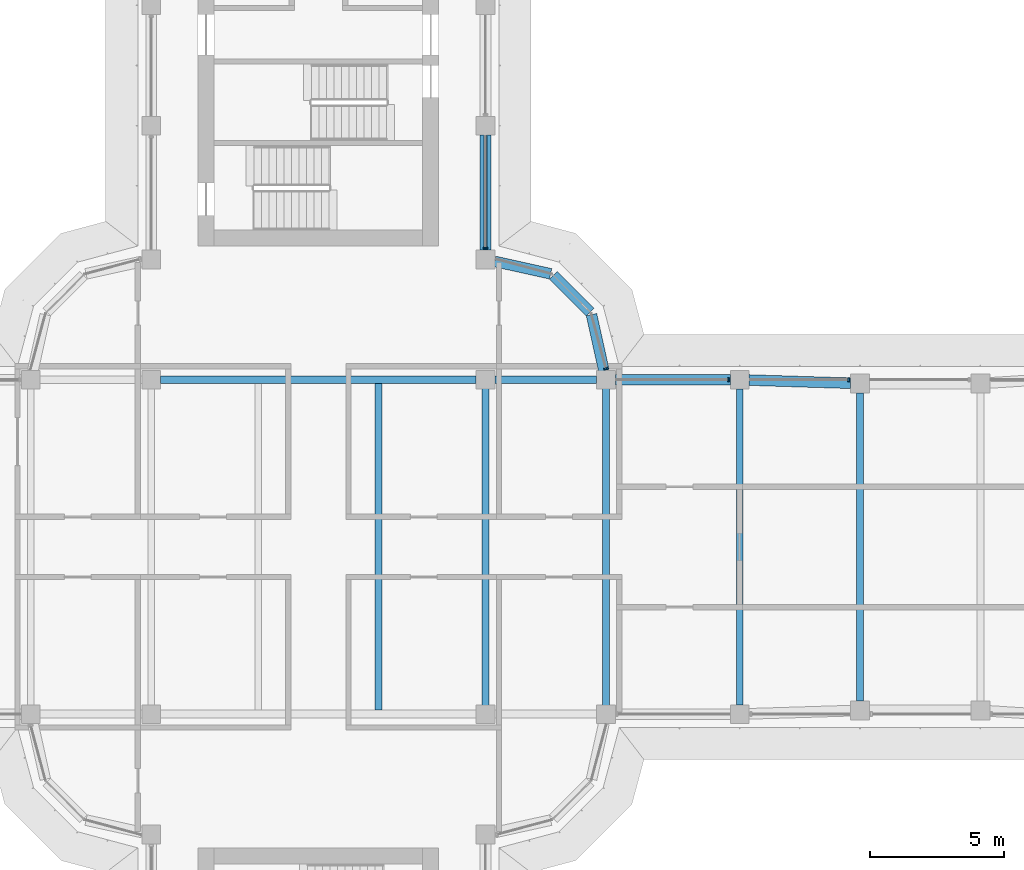
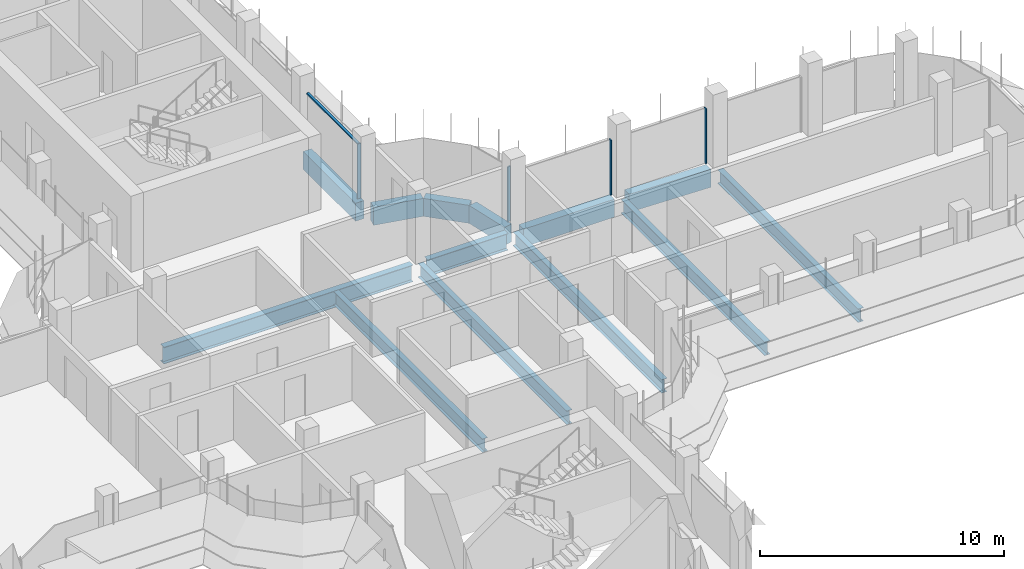
# One storey, part 8 of 19: 13 beams, 5 members, 3 elements without a shape of their own.
"""IFC4 building model written with IfcOpenShell, lengths in metres."""

from ifc_helpers import new_model, si_unit, direction, frame, origin, origin_2d, place, context, subcontext, project, spatial, polyline, rectangle, i_section, outline, extrude, source, transform, mapped, material, material_profile, profile_set, type_object, element, aggregate, save


model = new_model("IFC4")

# Units and contexts
model_context = context("Model", 3, precision=1e-05, world=origin(), true_north=direction((0.0, 1.0)))
body_context = subcontext(model_context, "Body", "Model", "MODEL_VIEW")
ifc_project = project(units=[si_unit("LENGTHUNIT", "METRE"), si_unit("AREAUNIT", "SQUARE_METRE"), si_unit("VOLUMEUNIT", "CUBIC_METRE"), si_unit("PLANEANGLEUNIT", "RADIAN"), si_unit("MASSUNIT", "GRAM", prefix="KILO")], contexts=[model_context])

# Site, building, storey
site_placement = place(None, origin())
site = spatial("IfcSite", under=ifc_project, at=site_placement, CompositionType="ELEMENT")
building_placement = place(site_placement, origin())
building = spatial("IfcBuilding", under=site, at=building_placement, Name="Zarbagh Exchange Tower", CompositionType="ELEMENT")
storey_placement = place(building_placement, frame((0.0, 0.0, 233.39990234375)))
storey = spatial("IfcBuildingStorey", under=building, at=storey_placement, Name="L57", CompositionType="ELEMENT", Elevation=233.39990234375)

# Beams
ifc_material_1 = material(Name="Steel ASTM A992 Gr 50", Category="steel")
ifc_material_profile_1 = material_profile(ifc_material_1, i_section(OverallWidth=0.25390625, OverallDepth=0.67822265625, WebThickness=0.01171875, FlangeThickness=0.016357421875, at=origin_2d()), Name="W27X84")
ifc_profile_set_1 = profile_set([ifc_material_profile_1], Name="Steel ASTM A992 Gr 50")
beam_type_1 = type_object("IfcBeamType", Name="Floor beam W27X84", PredefinedType="BEAM", material=ifc_profile_set_1)
for number, where, z_axis, x_axis, name in (
    (1, (2.25, -6.10400390625, -0.489013671875), (0.0, 1.0, 0.0), (-1.0, 0.0, 0.0), "Steel floor beam"),
    (2, (6.25, -6.10400390625, -0.489013671875), (0.0, 1.0, 0.0), (-1.0, 0.0, 0.0), "Steel floor beam"),
    (3, (10.75, -6.10400390625, -0.489013671875), (0.0, 1.0, 0.0), (-1.0, 0.0, 0.0), "Steel floor beam"),
):
    element("IfcBeam", number, at=place(storey_placement, frame(where, z_axis=z_axis, x_axis=x_axis)), inside=storey, type_object=beam_type_1, Name=name, PredefinedType="BEAM", context=body_context, shape_type="SweptSolid", body=[
        extrude(i_section(OverallWidth=0.25390625, OverallDepth=0.67822265625, WebThickness=0.01171875, FlangeThickness=0.016357421875, at=origin_2d()), origin(), (0.0, 0.0, 1.0), 12.2080078125),
    ])
beam_1_placement = place(storey_placement, frame((15.75, -5.89990234375, -0.489013671875), z_axis=(0.0, 1.0, 0.0), x_axis=(-1.0, 0.0, 0.0)))
element("IfcBeam", 4, at=beam_1_placement, inside=storey, type_object=beam_type_1, Name="Steel floor beam", PredefinedType="BEAM", context=body_context, shape_type="SweptSolid", body=[
    extrude(i_section(OverallWidth=0.25390625, OverallDepth=0.67822265625, WebThickness=0.01171875, FlangeThickness=0.016357421875, at=origin_2d()), origin(), (0.0, 0.0, 1.0), 11.7998046875),
])
beam_2_placement = place(storey_placement, frame((20.25, -5.760009765625, -0.489013671875), z_axis=(0.0, 1.0, 0.0), x_axis=(-1.0, 0.0, 0.0)))
element("IfcBeam", 5, at=beam_2_placement, inside=storey, type_object=beam_type_1, Name="Steel floor beam", PredefinedType="BEAM", context=body_context, shape_type="SweptSolid", body=[
    extrude(i_section(OverallWidth=0.25390625, OverallDepth=0.67822265625, WebThickness=0.01171875, FlangeThickness=0.016357421875, at=origin_2d()), origin(), (0.0, 0.0, 1.0), 11.52001953125),
])
ifc_material_profile_2 = material_profile(ifc_material_1, i_section(OverallWidth=0.2919921875, OverallDepth=0.835693359375, WebThickness=0.013916015625, FlangeThickness=0.018798828125, at=origin_2d()), Name="W33X118")
ifc_profile_set_2 = profile_set([ifc_material_profile_2], Name="Steel ASTM A992 Gr 50")
beam_type_2 = type_object("IfcBeamType", Name="Floor girder W33X118", PredefinedType="BEAM", material=ifc_profile_set_2)
beam_3_placement = place(storey_placement, frame((-5.89990234375, 6.25, -0.567626953125), z_axis=(1.0, 0.0, 0.0), x_axis=(0.0, 1.0, 0.0)))
element("IfcBeam", 6, at=beam_3_placement, inside=storey, type_object=beam_type_2, Name="Steel girder", PredefinedType="BEAM", context=body_context, shape_type="SweptSolid", body=[
    extrude(i_section(OverallWidth=0.2919921875, OverallDepth=0.835693359375, WebThickness=0.013916015625, FlangeThickness=0.018798828125, at=origin_2d()), origin(), (0.0, 0.0, 1.0), 11.7998046875),
])
beam_4_placement = place(storey_placement, frame((6.60009765625, 6.25, -0.567626953125), z_axis=(1.0, 0.0, 0.0), x_axis=(0.0, 1.0, 0.0)))
element("IfcBeam", 7, at=beam_4_placement, inside=storey, type_object=beam_type_2, Name="Steel girder", PredefinedType="BEAM", context=body_context, shape_type="SweptSolid", body=[
    extrude(i_section(OverallWidth=0.2919921875, OverallDepth=0.835693359375, WebThickness=0.013916015625, FlangeThickness=0.018798828125, at=origin_2d()), origin(), (0.0, 0.0, 1.0), 3.7998046875),
])
ifc_material_2 = material(Name="Concrete C50/60", Category="concrete")
ifc_material_profile_3 = material_profile(ifc_material_2, rectangle(XDim=0.39990234375, YDim=0.89990234375, at=origin_2d()), Name="RC spandrel beam 400 x 900 C50/60")
ifc_profile_set_3 = profile_set([ifc_material_profile_3], Name="Concrete C50/60")
beam_type_3 = type_object("IfcBeamType", Name="RC spandrel beam 400 x 900 C50/60", PredefinedType="SPANDREL", material=ifc_profile_set_3)
beam_5_placement = place(storey_placement, frame((6.25, 15.39990234375, -0.599853515625), z_axis=(0.0, -1.0, 0.0), x_axis=(1.0, 0.0, 0.0)))
element("IfcBeam", 8, at=beam_5_placement, inside=storey, type_object=beam_type_3, Name="RC spandrel beam", PredefinedType="SPANDREL", context=body_context, shape_type="SweptSolid", body=[
    extrude(rectangle(XDim=0.39990234375, YDim=0.89990234375, at=origin_2d()), origin(), (0.0, 0.0, 1.0), 4.2998046875),
])
beam_6_placement = place(storey_placement, frame((6.591796875, 10.67431640625, -0.599853515625), z_axis=(0.97639036545, -0.216013551096, 0.0), x_axis=(0.216013551096, 0.97639036545, 0.0)))
element("IfcBeam", 9, at=beam_6_placement, inside=storey, type_object=beam_type_3, Name="RC spandrel beam", PredefinedType="SPANDREL", context=body_context, shape_type="SweptSolid", body=[
    extrude(rectangle(XDim=0.39990234375, YDim=0.89990234375, at=origin_2d()), origin(), (0.0, 0.0, 1.0), 2.142822265625),
])
beam_7_placement = place(storey_placement, frame((8.782470703125, 10.15771484375, -0.599853515625), z_axis=(0.707106781187, -0.707106781187, 0.0), x_axis=(0.707106781187, 0.707106781187, 0.0)))
element("IfcBeam", 10, at=beam_7_placement, inside=storey, type_object=beam_type_3, Name="RC spandrel beam", PredefinedType="SPANDREL", context=body_context, shape_type="SweptSolid", body=[
    extrude(rectangle(XDim=0.39990234375, YDim=0.89990234375, at=origin_2d()), origin(), (0.0, 0.0, 1.0), 1.94482421875),
])
beam_8_placement = place(storey_placement, frame((10.21142578125, 8.68408203125, -0.599853515625), z_axis=(0.216013551096, -0.97639036545, 0.0), x_axis=(0.97639036545, 0.216013551096, 0.0)))
element("IfcBeam", 11, at=beam_8_placement, inside=storey, type_object=beam_type_3, Name="RC spandrel beam", PredefinedType="SPANDREL", context=body_context, shape_type="SweptSolid", body=[
    extrude(rectangle(XDim=0.39990234375, YDim=0.89990234375, at=origin_2d()), origin(), (0.0, 0.0, 1.0), 2.142822265625),
])
beam_9_placement = place(storey_placement, frame((11.10009765625, 6.25, -0.599853515625), z_axis=(1.0, 0.0, 0.0), x_axis=(0.0, 1.0, 0.0)))
element("IfcBeam", 12, at=beam_9_placement, inside=storey, type_object=beam_type_3, Name="RC spandrel beam", PredefinedType="SPANDREL", context=body_context, shape_type="SweptSolid", body=[
    extrude(rectangle(XDim=0.39990234375, YDim=0.89990234375, at=origin_2d()), origin(), (0.0, 0.0, 1.0), 4.2998046875),
])
beam_10_placement = place(storey_placement, frame((16.099853515625, 6.239013671875, -0.599853515625), z_axis=(0.999516950199, -0.031078389046, 0.0), x_axis=(0.031078389046, 0.999516950199, 0.0)))
element("IfcBeam", 13, at=beam_10_placement, inside=storey, type_object=beam_type_3, Name="RC spandrel beam", PredefinedType="SPANDREL", context=body_context, shape_type="SweptSolid", body=[
    extrude(rectangle(XDim=0.39990234375, YDim=0.89990234375, at=origin_2d()), origin(), (0.0, 0.0, 1.0), 3.80224609375),
])

# Curtain wall, members
ifc_material_3 = material(Name="Anodised aluminium frame and glazing", Category="aluminium")
curtain_wall_type = type_object("IfcCurtainWallType", Name="CWB Ribbon glazing, upper zones", PredefinedType="NOTDEFINED", material=ifc_material_3)
curtain_wall_1_placement = place(storey_placement, origin())
curtain_wall_1 = element("IfcCurtainWall", 14, at=curtain_wall_1_placement, inside=storey, type_object=curtain_wall_type, Name="CWB16 curtain wall", PredefinedType="NOTDEFINED")
ifc_material_4 = material(Name="Anodised aluminium frame", Category="aluminium")
member_type_1 = type_object("IfcMemberType", Name="MUB Mullion, anodised aluminium frame", PredefinedType="MULLION", material=ifc_material_4)
shared_shape_1 = source(origin(), body_context, "Body", "SweptSolid", [
    extrude(outline(polyline([(0.0, -0.080078125), (0.06005859375, -0.080078125), (0.06005859375, 0.080078125), (0.0, 0.080078125), (0.0, -0.080078125)])), origin(), (0.0, 0.0, 1.0), 2.75),
])
placement = place(storey_placement, origin())
member_1 = element("IfcMember", 15, at=placement, type_object=member_type_1, Name="CWB16 mullion 3.1", PredefinedType="MULLION", context=body_context, shape_type="MappedRepresentation", body=[
    mapped(shared_shape_1, transform((19.85986328125, 6.25, 0.0), x_axis=(-1.0, 0.0, 0.0), y_axis=(0.0, -1.0, 0.0), z_axis=(0.0, 0.0, 1.0))),
])
member_2 = element("IfcMember", 16, at=placement, type_object=member_type_1, Name="CWB16 mullion 4.1", PredefinedType="MULLION", context=body_context, shape_type="MappedRepresentation", body=[
    mapped(shared_shape_1, transform((15.35986328125, 6.25, 0.0), x_axis=(-1.0, 0.0, 0.0), y_axis=(0.0, -1.0, 0.0), z_axis=(0.0, 0.0, 1.0))),
])
aggregate(curtain_wall_1, [member_1, member_2])

# Curtain wall, member
curtain_wall_2_placement = place(storey_placement, origin())
curtain_wall_2 = element("IfcCurtainWall", 17, at=curtain_wall_2_placement, inside=storey, type_object=curtain_wall_type, Name="CWB17 curtain wall", PredefinedType="NOTDEFINED")
member_3 = element("IfcMember", 18, at=placement, type_object=member_type_1, Name="CWB17 mullion 1.1", PredefinedType="MULLION", context=body_context, shape_type="MappedRepresentation", body=[
    mapped(shared_shape_1, transform((10.76171875, 6.64013671875, 0.0), x_axis=(-0.258824779902, 0.965924289636, 0.0), y_axis=(-0.965924289636, -0.258824779902, 0.0), z_axis=(0.0, 0.0, 1.0))),
])
aggregate(curtain_wall_2, [member_3])

# Curtain wall, members
curtain_wall_3_placement = place(storey_placement, origin())
curtain_wall_3 = element("IfcCurtainWall", 19, at=curtain_wall_3_placement, inside=storey, type_object=curtain_wall_type, Name="CWB67 curtain wall", PredefinedType="NOTDEFINED")
member_4 = element("IfcMember", 20, at=placement, type_object=member_type_1, Name="CWB67 mullion 1.1", PredefinedType="MULLION", context=body_context, shape_type="MappedRepresentation", body=[
    mapped(shared_shape_1, transform((6.25, 11.14013671875, 0.0), x_axis=(0.0, 1.0, 0.0), y_axis=(-1.0, 0.0, 0.0), z_axis=(0.0, 0.0, 1.0))),
])
member_type_2 = type_object("IfcMemberType", Name="TRB Transom, anodised aluminium frame", PredefinedType="USERDEFINED", material=ifc_material_4)
shared_shape_2 = source(origin(), body_context, "Body", "SweptSolid", [
    extrude(outline(polyline([(-0.06005859375, -0.06005859375), (0.0, -0.06005859375), (0.0, 0.06005859375), (-0.06005859375, 0.06005859375), (-0.06005859375, -0.06005859375)])), origin(), (0.0, 0.0, 1.0), 4.159912109375),
])
member_5 = element("IfcMember", 21, at=placement, type_object=member_type_2, Name="CWB67 transom 1.1", ObjectType="TRANSOM", PredefinedType="USERDEFINED", context=body_context, shape_type="MappedRepresentation", body=[
    mapped(shared_shape_2, transform((6.25, 11.199951171875, 2.75), x_axis=(0.0, 0.0, 1.0), y_axis=(1.0, 0.0, 0.0), z_axis=(0.0, 1.0, 0.0))),
])
aggregate(curtain_wall_3, [member_4, member_5])

save(model, "model.ifc")
